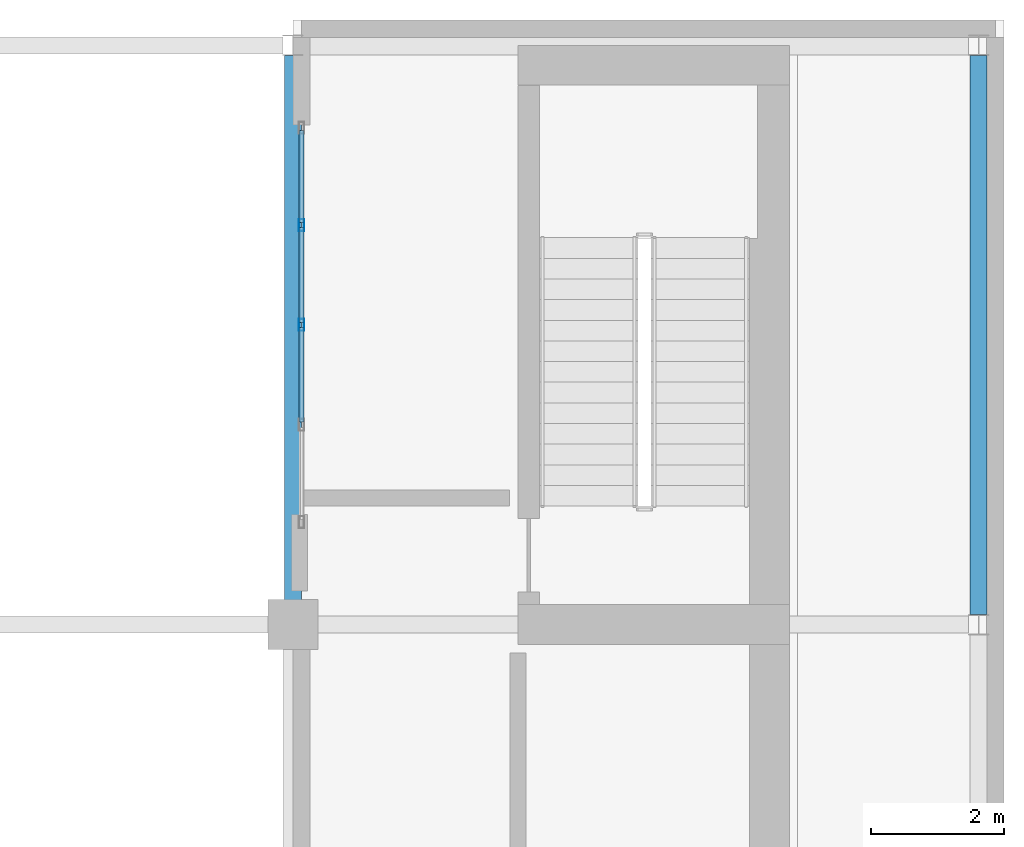
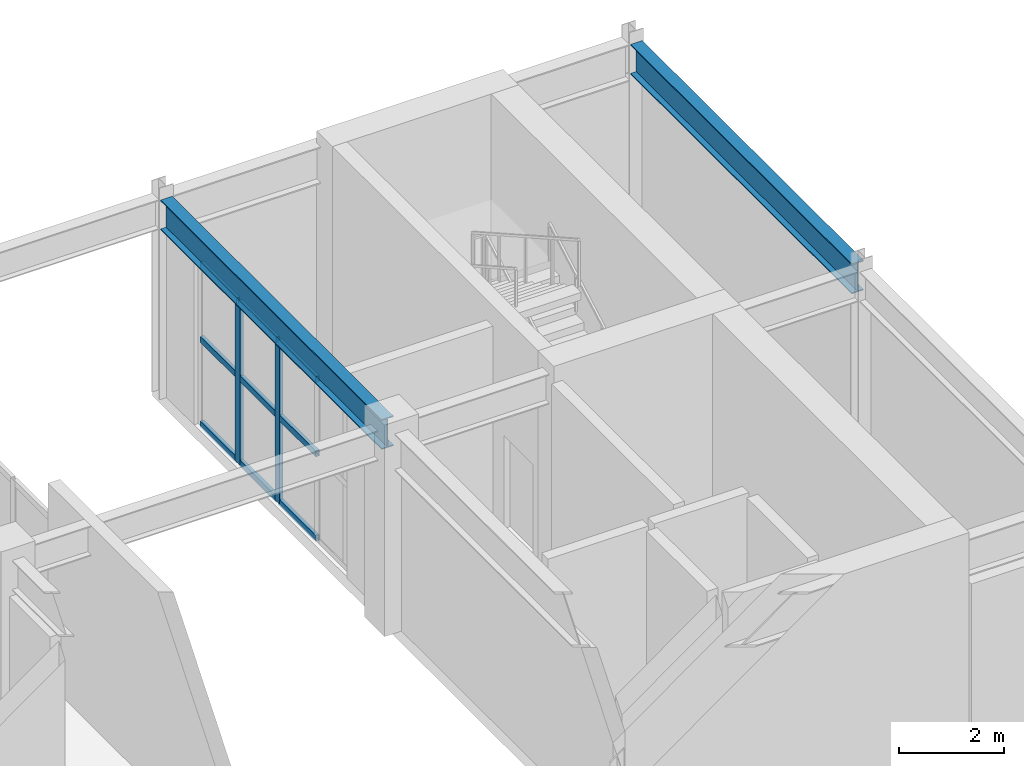
# One storey, part 4 of 9: 11 members, 2 beams, 1 element without a shape of its own.
"""IFC4 building model written with IfcOpenShell, lengths in metres."""

from ifc_helpers import new_model, si_unit, direction, frame, origin, origin_2d, place, context, subcontext, project, spatial, hollow_rectangle, i_section, extrude, material, layer, layer_set, material_profile, profile_set, type_object, element, aggregate, save


model = new_model("IFC4")

# Units and contexts
model_context = context("Model", 3, precision=1e-05, world=origin(), true_north=direction((0.0, 1.0)))
body_context = subcontext(model_context, "Body", "Model", "MODEL_VIEW")
ifc_project = project(units=[si_unit("LENGTHUNIT", "METRE"), si_unit("AREAUNIT", "SQUARE_METRE"), si_unit("VOLUMEUNIT", "CUBIC_METRE"), si_unit("PLANEANGLEUNIT", "RADIAN"), si_unit("MASSUNIT", "GRAM", prefix="KILO")], contexts=[model_context])

# Site, building, storey
site_placement = place(None, origin())
site = spatial("IfcSite", under=ifc_project, at=site_placement, CompositionType="ELEMENT")
building_placement = place(site_placement, origin())
building = spatial("IfcBuilding", under=site, at=building_placement, Name="Solanera Arch Residences", CompositionType="ELEMENT")
storey_placement = place(building_placement, frame((0.0, 0.0, 292.780029296875)))
storey = spatial("IfcBuildingStorey", under=building, at=storey_placement, Name="L83", CompositionType="ELEMENT", Elevation=292.780029296875)

# Curtain wall, members
ifc_material_1 = material(Name="Anodised Aluminium Alloy 6063-T6", Category="aluminium")
ifc_layer = layer(ifc_material_1, 0.179931640625)
ifc_layer_set = layer_set([ifc_layer], Name="Anodised Aluminium Alloy 6063-T6")
curtain_wall_type = type_object("IfcCurtainWallType", Name="CW-6 Split-Top Crown Lantern Curtain Wall", PredefinedType="USERDEFINED", material=ifc_layer_set)
curtain_wall_placement = place(storey_placement, origin())
curtain_wall = element("IfcCurtainWall", 1, at=curtain_wall_placement, inside=storey, type_object=curtain_wall_type, Name="L83 E Crown Cleft Lantern Curtain Wall", ObjectType="CURTAIN_WALL", PredefinedType="USERDEFINED")
ifc_material_2 = material(Name="Anodised Aluminium Alloy 6063-T6", Category="aluminium")
ifc_material_profile_1 = material_profile(ifc_material_2, hollow_rectangle(XDim=0.080078125, YDim=0.179931640625, WallThickness=0.00390625, at=origin_2d()))
ifc_profile_set_1 = profile_set([ifc_material_profile_1], Name="Anodised Aluminium Alloy 6063-T6")
member_type_1 = type_object("IfcMemberType", Name="Curtain Wall Mullion ALU-MUL-80X180", PredefinedType="MULLION", material=ifc_profile_set_1)
member_1_placement = place(storey_placement, frame((29.330078125, 35.199951171875, 0.0), z_axis=(0.0, 0.0, 1.0), x_axis=(-1.0, 0.0, 0.0)))
member_1 = element("IfcMember", 2, at=member_1_placement, type_object=member_type_1, Name="CW-6 mullion 3", PredefinedType="MULLION", context=body_context, shape_type="SweptSolid", body=[
    extrude(hollow_rectangle(XDim=0.080078125, YDim=0.179931640625, WallThickness=0.00390625, at=origin_2d()), origin(), (0.0, 0.0, 1.0), 3.760009765625),
])
member_2_placement = place(storey_placement, frame((29.330078125, 36.699951171875, 0.0), z_axis=(0.0, 0.0, 1.0), x_axis=(-1.0, 0.0, 0.0)))
member_2 = element("IfcMember", 3, at=member_2_placement, type_object=member_type_1, Name="CW-6 mullion 4", PredefinedType="MULLION", context=body_context, shape_type="SweptSolid", body=[
    extrude(hollow_rectangle(XDim=0.080078125, YDim=0.179931640625, WallThickness=0.00390625, at=origin_2d()), origin(), (0.0, 0.0, 1.0), 3.760009765625),
])
ifc_material_3 = material(Name="Anodised Aluminium Alloy 6063-T6", Category="aluminium")
ifc_material_profile_2 = material_profile(ifc_material_3, hollow_rectangle(XDim=0.080078125, YDim=0.139892578125, WallThickness=0.00390625, at=origin_2d()))
ifc_profile_set_2 = profile_set([ifc_material_profile_2], Name="Anodised Aluminium Alloy 6063-T6")
member_type_2 = type_object("IfcMemberType", Name="Curtain Wall Transom ALU-TRN-80X140", PredefinedType="USERDEFINED", material=ifc_profile_set_2)
member_3_placement = place(storey_placement, frame((29.330078125, 33.739990234375, 0.0400390625), z_axis=(0.0, 1.0, 0.0), x_axis=(-1.0, 0.0, 0.0)))
member_3 = element("IfcMember", 4, at=member_3_placement, type_object=member_type_2, Name="CW-6 transom 2.1", ObjectType="TRANSOM", PredefinedType="USERDEFINED", context=body_context, shape_type="SweptSolid", body=[
    extrude(hollow_rectangle(XDim=0.080078125, YDim=0.139892578125, WallThickness=0.00390625, at=origin_2d()), origin(), (0.0, 0.0, 1.0), 1.419921875),
])
member_4_placement = place(storey_placement, frame((29.330078125, 33.739990234375, 2.0), z_axis=(0.0, 1.0, 0.0), x_axis=(-1.0, 0.0, 0.0)))
member_4 = element("IfcMember", 5, at=member_4_placement, type_object=member_type_2, Name="CW-6 transom 2.2", ObjectType="TRANSOM", PredefinedType="USERDEFINED", context=body_context, shape_type="SweptSolid", body=[
    extrude(hollow_rectangle(XDim=0.080078125, YDim=0.139892578125, WallThickness=0.00390625, at=origin_2d()), origin(), (0.0, 0.0, 1.0), 1.419921875),
])
member_5_placement = place(storey_placement, frame((29.330078125, 33.739990234375, 3.719970703125), z_axis=(0.0, 1.0, 0.0), x_axis=(-1.0, 0.0, 0.0)))
member_5 = element("IfcMember", 6, at=member_5_placement, type_object=member_type_2, Name="CW-6 transom 2.3", ObjectType="TRANSOM", PredefinedType="USERDEFINED", context=body_context, shape_type="SweptSolid", body=[
    extrude(hollow_rectangle(XDim=0.080078125, YDim=0.139892578125, WallThickness=0.00390625, at=origin_2d()), origin(), (0.0, 0.0, 1.0), 1.419921875),
])
member_6_placement = place(storey_placement, frame((29.330078125, 35.239990234375, 0.0400390625), z_axis=(0.0, 1.0, 0.0), x_axis=(-1.0, 0.0, 0.0)))
member_6 = element("IfcMember", 7, at=member_6_placement, type_object=member_type_2, Name="CW-6 transom 3.1", ObjectType="TRANSOM", PredefinedType="USERDEFINED", context=body_context, shape_type="SweptSolid", body=[
    extrude(hollow_rectangle(XDim=0.080078125, YDim=0.139892578125, WallThickness=0.00390625, at=origin_2d()), origin(), (0.0, 0.0, 1.0), 1.419921875),
])
member_7_placement = place(storey_placement, frame((29.330078125, 35.239990234375, 2.0), z_axis=(0.0, 1.0, 0.0), x_axis=(-1.0, 0.0, 0.0)))
member_7 = element("IfcMember", 8, at=member_7_placement, type_object=member_type_2, Name="CW-6 transom 3.2", ObjectType="TRANSOM", PredefinedType="USERDEFINED", context=body_context, shape_type="SweptSolid", body=[
    extrude(hollow_rectangle(XDim=0.080078125, YDim=0.139892578125, WallThickness=0.00390625, at=origin_2d()), origin(), (0.0, 0.0, 1.0), 1.419921875),
])
member_8_placement = place(storey_placement, frame((29.330078125, 35.239990234375, 3.719970703125), z_axis=(0.0, 1.0, 0.0), x_axis=(-1.0, 0.0, 0.0)))
member_8 = element("IfcMember", 9, at=member_8_placement, type_object=member_type_2, Name="CW-6 transom 3.3", ObjectType="TRANSOM", PredefinedType="USERDEFINED", context=body_context, shape_type="SweptSolid", body=[
    extrude(hollow_rectangle(XDim=0.080078125, YDim=0.139892578125, WallThickness=0.00390625, at=origin_2d()), origin(), (0.0, 0.0, 1.0), 1.419921875),
])
member_9_placement = place(storey_placement, frame((29.330078125, 36.739990234375, 0.0400390625), z_axis=(0.0, 1.0, 0.0), x_axis=(-1.0, 0.0, 0.0)))
member_9 = element("IfcMember", 10, at=member_9_placement, type_object=member_type_2, Name="CW-6 transom 4.1", ObjectType="TRANSOM", PredefinedType="USERDEFINED", context=body_context, shape_type="SweptSolid", body=[
    extrude(hollow_rectangle(XDim=0.080078125, YDim=0.139892578125, WallThickness=0.00390625, at=origin_2d()), origin(), (0.0, 0.0, 1.0), 1.380126953125),
])
member_10_placement = place(storey_placement, frame((29.330078125, 36.739990234375, 2.0), z_axis=(0.0, 1.0, 0.0), x_axis=(-1.0, 0.0, 0.0)))
member_10 = element("IfcMember", 11, at=member_10_placement, type_object=member_type_2, Name="CW-6 transom 4.2", ObjectType="TRANSOM", PredefinedType="USERDEFINED", context=body_context, shape_type="SweptSolid", body=[
    extrude(hollow_rectangle(XDim=0.080078125, YDim=0.139892578125, WallThickness=0.00390625, at=origin_2d()), origin(), (0.0, 0.0, 1.0), 1.380126953125),
])
member_11_placement = place(storey_placement, frame((29.330078125, 36.739990234375, 3.719970703125), z_axis=(0.0, 1.0, 0.0), x_axis=(-1.0, 0.0, 0.0)))
member_11 = element("IfcMember", 12, at=member_11_placement, type_object=member_type_2, Name="CW-6 transom 4.3", ObjectType="TRANSOM", PredefinedType="USERDEFINED", context=body_context, shape_type="SweptSolid", body=[
    extrude(hollow_rectangle(XDim=0.080078125, YDim=0.139892578125, WallThickness=0.00390625, at=origin_2d()), origin(), (0.0, 0.0, 1.0), 1.380126953125),
])
aggregate(curtain_wall, [member_1, member_2, member_3, member_4, member_5, member_6, member_7, member_8, member_9, member_10, member_11])

# Beams
ifc_material_4 = material(Name="Steel S355 (ASTM A992 / A572 Grade 50)", Category="steel")
ifc_material_profile_3 = material_profile(ifc_material_4, i_section(OverallWidth=0.256103515625, OverallDepth=0.693115234375, WebThickness=0.014404296875, FlangeThickness=0.023681640625, at=origin_2d()))
ifc_profile_set_3 = profile_set([ifc_material_profile_3], Name="Steel S355 (ASTM A992 / A572 Grade 50)")
beam_type = type_object("IfcBeamType", Name="Primary Beam W690X170", PredefinedType="BEAM", material=ifc_profile_set_3)
for number, where, z_axis, x_axis, name in (
    (13, (29.199951171875, 30.85400390625, 4.27294921875), (0.0, 1.0, 0.0), (-1.0, 0.0, 0.0), "BM-L83-CR-E2"),
    (14, (39.5, 30.85400390625, 4.27294921875), (0.0, 1.0, 0.0), (-1.0, 0.0, 0.0), "BM-L83-CR-E4"),
):
    element("IfcBeam", number, at=place(storey_placement, frame(where, z_axis=z_axis, x_axis=x_axis)), inside=storey, type_object=beam_type, Name=name, PredefinedType="BEAM", context=body_context, shape_type="SweptSolid", body=[
        extrude(i_section(OverallWidth=0.256103515625, OverallDepth=0.693115234375, WebThickness=0.014404296875, FlangeThickness=0.023681640625, at=origin_2d()), origin(), (0.0, 0.0, 1.0), 8.39208984375),
    ])

save(model, "model.ifc")
